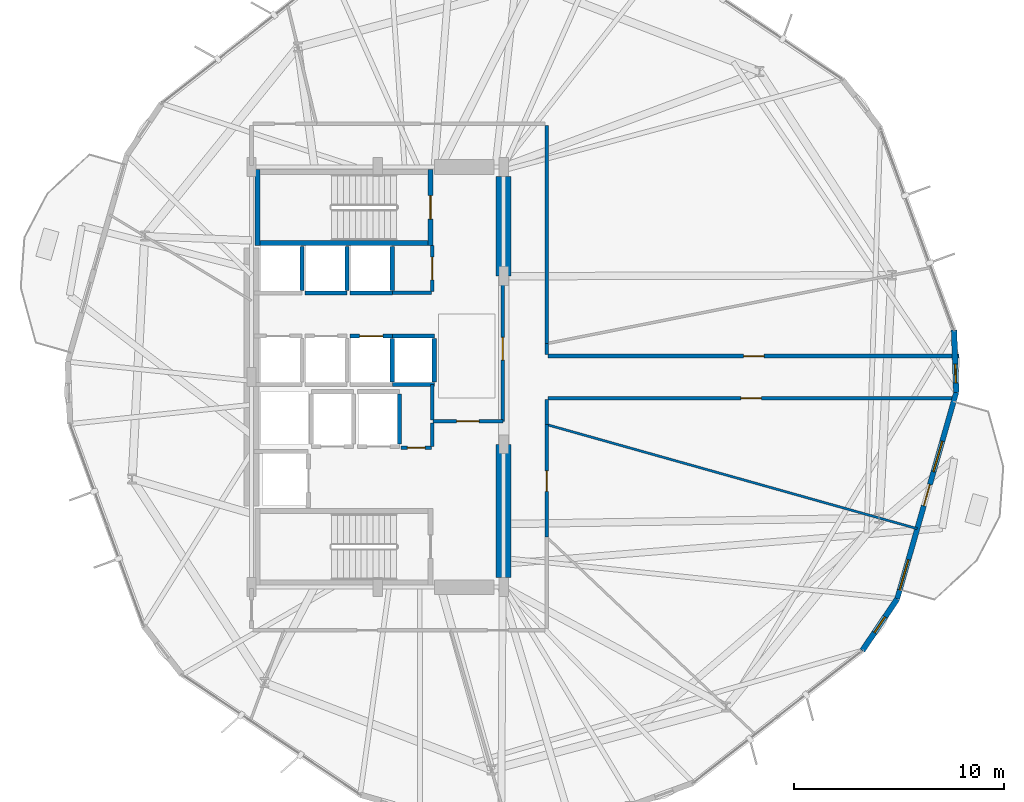
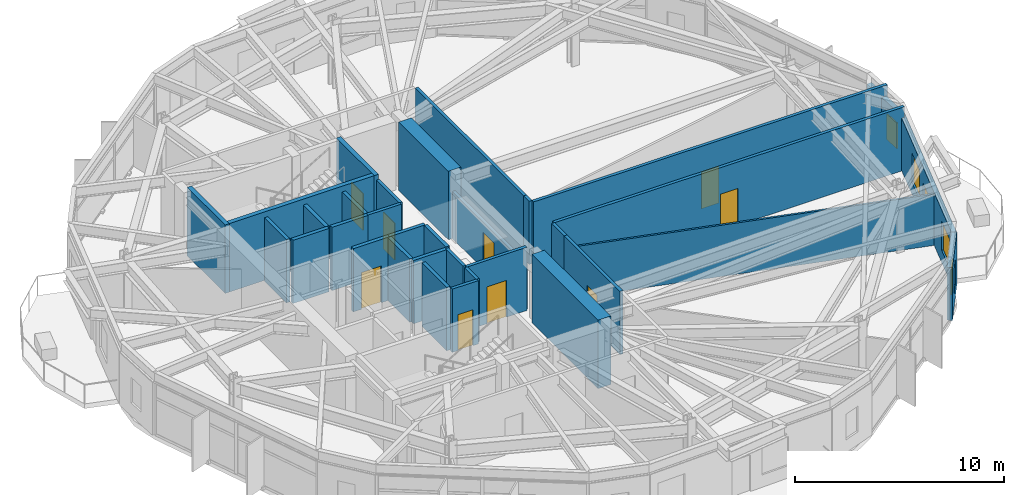
# One storey, part 17 of 21: 33 walls, 10 doors, 4 windows, 14 openings.
"""IFC4 building model written with IfcOpenShell, lengths in metres."""

import ifcopenshell
import ifcopenshell.guid

model = None  # the IFC model being written
_history = None  # IfcOwnerHistory: only IFC2X3 demands one
_inside = {}  # id of a spatial element -> (the spatial element, [elements in it])
_under = {}  # id of a project, library or spatial element -> (it, [spatial elements below it])
_declared = {}  # id of a project -> (the project, [libraries it declares])
_typed = {}  # id of a type object -> (the type object, [elements of that type])
_made_of = {}  # id of a material, layer set ... -> (it, [elements and type objects made of it])


def new_model(schema):
    """Start an empty IFC model of exactly this schema.

    Asked for "IFC4X3", IfcOpenShell would pick the latest addendum, in which some entities
    have other attributes; the version numbers below select the first issue.
    IFC2X3 requires an IfcOwnerHistory on every rooted entity: one is made here for all.
    """
    global model, _history
    if schema == "IFC4X3":
        model = ifcopenshell.file(schema_version=(4, 3, 0, 0))
    else:
        model = ifcopenshell.file(schema=schema)
    _inside.clear()
    _under.clear()
    _declared.clear()
    _typed.clear()
    _made_of.clear()
    _history = None
    if model.schema == "IFC2X3":
        org = make("IfcOrganization", Name="unknown")
        user = make(
            "IfcPersonAndOrganization",
            ThePerson=make("IfcPerson", FamilyName="unknown"),
            TheOrganization=org,
        )
        app = make(
            "IfcApplication",
            ApplicationDeveloper=org,
            Version="unknown",
            ApplicationFullName="unknown",
            ApplicationIdentifier="unknown",
        )
        _history = make(
            "IfcOwnerHistory",
            OwningUser=user,
            OwningApplication=app,
            ChangeAction="ADDED",
            CreationDate=0,
        )
    return model


def make(cls, **values):
    """One entity of the class cls with the attributes given. An attribute that is None is left unset."""
    return model.create_entity(
        cls, **{name: value for name, value in values.items() if value is not None}
    )


def rooted(cls, **values):
    """An entity with a GlobalId (a new one), such as an element, a storey or a relation."""
    return make(cls, GlobalId=ifcopenshell.guid.new(), OwnerHistory=_history, **values)


def si_unit(unit_type, name, prefix=None):
    """IfcSIUnit, for example si_unit("LENGTHUNIT", "METRE", prefix="MILLI")."""
    return make("IfcSIUnit", UnitType=unit_type, Prefix=prefix, Name=name)


def assignment(units):
    """IfcUnitAssignment: the units of a project."""
    return None if units is None else make("IfcUnitAssignment", Units=units)


def point(xyz):
    """IfcCartesianPoint."""
    return None if xyz is None else make("IfcCartesianPoint", Coordinates=xyz)


def direction(xyz):
    """IfcDirection."""
    return None if xyz is None else make("IfcDirection", DirectionRatios=xyz)


def frame(location, z_axis=None, x_axis=None):
    """IfcAxis2Placement3D, a coordinate frame: its origin and axes. An axis left out is left unset."""
    return make(
        "IfcAxis2Placement3D",
        Location=point(location),
        Axis=direction(z_axis),
        RefDirection=direction(x_axis),
    )


def frame_2d(location, x_axis=None):
    """IfcAxis2Placement2D, a coordinate frame in the plane: its origin and x axis."""
    return make(
        "IfcAxis2Placement2D", Location=point(location), RefDirection=direction(x_axis)
    )


def origin():
    """The frame at (0, 0, 0) with its axes left unset."""
    return frame((0.0, 0.0, 0.0))


def place(relative_to, where):
    """IfcLocalPlacement: puts the frame where relative to a parent placement (None: the world)."""
    return make(
        "IfcLocalPlacement", PlacementRelTo=relative_to, RelativePlacement=where
    )


def context(
    kind, dimensions, precision=None, world=None, true_north=None, identifier=None
):
    """IfcGeometricRepresentationContext, for example the 3D "Model" context."""
    return make(
        "IfcGeometricRepresentationContext",
        ContextIdentifier=identifier,
        ContextType=kind,
        CoordinateSpaceDimension=dimensions,
        Precision=precision,
        WorldCoordinateSystem=world,
        TrueNorth=true_north,
    )


def subcontext(parent, identifier, kind, view, scale=None):
    """IfcGeometricRepresentationSubContext, for example "Body" below "Model"."""
    return make(
        "IfcGeometricRepresentationSubContext",
        ContextIdentifier=identifier,
        ContextType=kind,
        ParentContext=parent,
        TargetScale=scale,
        TargetView=view,
    )


def project(units=None, contexts=None):
    """IfcProject with its units and contexts."""
    return rooted(
        "IfcProject",
        Name="project",
        RepresentationContexts=contexts,
        UnitsInContext=assignment(units),
    )


def spatial(cls, under=None, at=None, **own):
    """A site, building, storey or space (cls), placed at a placement, below another one or the project."""
    s = rooted(cls, ObjectPlacement=at, **own)
    if under is not None:
        _under.setdefault(under.id(), (under, []))[1].append(s)
    return s


def profile(cls, at=None, kind="AREA", **sizes):
    """A parametric profile (cls). Its sizes go by their IFC names, for example OverallWidth=200.0."""
    return make(cls, ProfileType=kind, Position=at, **sizes)


def rectangle(**sizes):
    """IfcRectangleProfileDef."""
    return profile("IfcRectangleProfileDef", **sizes)


def extrude(swept, where, along, depth):
    """IfcExtrudedAreaSolid: the profile swept, set in the frame where, extruded along a direction by depth."""
    return make(
        "IfcExtrudedAreaSolid",
        SweptArea=swept,
        Position=where,
        ExtrudedDirection=direction(along),
        Depth=depth,
    )


def shape(context_of_items, identifier, shape_type, items):
    """IfcShapeRepresentation: the items that make up one representation, for example the "Body"."""
    return make(
        "IfcShapeRepresentation",
        ContextOfItems=context_of_items,
        RepresentationIdentifier=identifier,
        RepresentationType=shape_type,
        Items=items,
    )


def material(Name=None, Category=None):
    """IfcMaterial."""
    return make("IfcMaterial", Name=Name, Category=Category)


def layer(
    of_material, thickness, ventilated=None, Name=None, Category=None, Priority=None
):
    """IfcMaterialLayer: one layer of a wall or slab, of a material (None: an air gap)."""
    return make(
        "IfcMaterialLayer",
        Material=of_material,
        LayerThickness=thickness,
        IsVentilated=ventilated,
        Name=Name,
        Category=Category,
        Priority=Priority,
    )


def layer_set(layers, Name=None):
    """IfcMaterialLayerSet."""
    return make("IfcMaterialLayerSet", MaterialLayers=layers, LayerSetName=Name)


def made_of(thing, what):
    """Note that an element or type object is made of a material, layer set ...; save() writes the relation."""
    if what is not None:
        _made_of.setdefault(what.id(), (what, []))[1].append(thing)
    return thing


def type_object(cls, material=None, **own):
    """A type object (cls), such as IfcWallType, which elements share."""
    return made_of(rooted(cls, **own), material)


def element(
    cls,
    number,
    at=None,
    inside=None,
    cuts=None,
    type_object=None,
    material=None,
    context=None,
    identifier="Body",
    shape_type=None,
    held_by="IfcProductDefinitionShape",
    body=None,
    shapes=None,
    **own,
):
    """One element of the class cls, such as IfcWall. Its Tag is "e" and its number.

    at: its placement. inside: the storey or other place that contains it. cuts: it is an
    opening in that element (IfcRelVoidsElement). A single representation is given by context,
    identifier, shape_type and body (its items); several are given by shapes. held_by: the class
    of the entity that holds the representations. save() writes the other relations.
    """
    e = rooted(cls, Tag="e%d" % number, ObjectPlacement=at, **own)
    if body is not None:
        shapes = [shape(context, identifier, shape_type, body)]
    if shapes is not None:
        e.Representation = make(held_by, Representations=shapes)
    if inside is not None:
        _inside.setdefault(inside.id(), (inside, []))[1].append(e)
    if cuts is not None:
        rooted(
            "IfcRelVoidsElement", RelatingBuildingElement=cuts, RelatedOpeningElement=e
        )
    if type_object is not None:
        _typed.setdefault(type_object.id(), (type_object, []))[1].append(e)
    return made_of(e, material)


def fill(opening, filler):
    """IfcRelFillsElement: the door or window that sits in an opening."""
    return rooted(
        "IfcRelFillsElement",
        RelatingOpeningElement=opening,
        RelatedBuildingElement=filler,
    )


def aggregate(whole, parts):
    """IfcRelAggregates: a whole, such as a stair, and the parts it consists of."""
    return rooted("IfcRelAggregates", RelatingObject=whole, RelatedObjects=parts)


def save(model, path):
    """Write the relations noted so far, then the file.

    IfcRelAggregates (storeys below a building ...), IfcRelContainedInSpatialStructure (elements
    in a storey), IfcRelDefinesByType, IfcRelAssociatesMaterial and IfcRelDeclares: one each for
    every whole, place, type object, material and project.
    """
    for whole, parts in _under.values():
        aggregate(whole, parts)
    for where, things in _inside.values():
        rooted(
            "IfcRelContainedInSpatialStructure",
            RelatedElements=things,
            RelatingStructure=where,
        )
    for kind, things in _typed.values():
        rooted("IfcRelDefinesByType", RelatedObjects=things, RelatingType=kind)
    for what, things in _made_of.values():
        rooted("IfcRelAssociatesMaterial", RelatedObjects=things, RelatingMaterial=what)
    for by, libraries in _declared.values():
        rooted("IfcRelDeclares", RelatingContext=by, RelatedDefinitions=libraries)
    model.write(path)


model = new_model("IFC4")

# Units and contexts
model_context = context("Model", 3, precision=1e-05, world=origin(), true_north=direction((0.0, 1.0)))
body_context = subcontext(model_context, "Body", "Model", "MODEL_VIEW")
ifc_project = project(units=[si_unit("LENGTHUNIT", "METRE"), si_unit("AREAUNIT", "SQUARE_METRE"), si_unit("VOLUMEUNIT", "CUBIC_METRE"), si_unit("PLANEANGLEUNIT", "RADIAN"), si_unit("MASSUNIT", "GRAM", prefix="KILO")], contexts=[model_context])

# Site, building, storey
site_placement = place(None, origin())
site = spatial("IfcSite", under=ifc_project, at=site_placement, CompositionType="ELEMENT")
building_placement = place(site_placement, origin())
building = spatial("IfcBuilding", under=site, at=building_placement, Name="Soratama Intermodal Tower", CompositionType="ELEMENT")
storey_placement = place(building_placement, frame((0.0, 0.0, 34.60009765625)))
storey = spatial("IfcBuildingStorey", under=building, at=storey_placement, Name="L07", CompositionType="ELEMENT", Elevation=34.60009765625)

# Wall, openings, door, windows
ifc_material_1 = material(Name="Concrete f'c 42 MPa", Category="concrete")
ifc_layer_1 = layer(ifc_material_1, 0.25)
ifc_layer_set_1 = layer_set([ifc_layer_1], Name="Concrete f'c 42 MPa")
wall_type_1 = type_object("IfcWallType", Name="EW-BAL-250", PredefinedType="SOLIDWALL", material=ifc_layer_set_1)
wall_1_placement = place(storey_placement, frame((63.334716796875, 14.43994140625, 0.0), z_axis=(0.0, 0.0, 1.0), x_axis=(0.274967139431, 0.961453624588, 0.0)))
wall_1 = element("IfcWall", 1, at=wall_1_placement, inside=storey, type_object=wall_type_1, Name="L07 Terrace Wall F10", PredefinedType="SOLIDWALL", context=body_context, shape_type="SweptSolid", body=[
    extrude(rectangle(XDim=10.22314453125, YDim=0.25, at=frame_2d((5.111572265625, 0.0))), origin(), (0.0, 0.0, 1.0), 3.078857421875),
])
opening_1_placement = place(wall_1_placement, frame((4.611572265625, 0.0, 0.0)))
opening_1 = element("IfcOpeningElement", 2, at=opening_1_placement, cuts=wall_1, Name="Opening ED-5", PredefinedType="OPENING", context=body_context, shape_type="SweptSolid", body=[
    extrude(rectangle(XDim=1.050048828125, YDim=2.14990234375, at=frame_2d((0.52490234375, 1.074951171875))), frame((0.0, 0.135009765625, 0.0), z_axis=(0.0, -1.0, 0.0), x_axis=(1.0, 0.0, 0.0)), (0.0, 0.0, 1.0), 0.27001953125),
])
opening_2_placement = place(wall_1_placement, frame((0.43994140625, 0.0, 0.719970703125)))
opening_2 = element("IfcOpeningElement", 3, at=opening_2_placement, cuts=wall_1, Name="Opening WN-1", PredefinedType="OPENING", context=body_context, shape_type="SweptSolid", body=[
    extrude(rectangle(XDim=1.5, YDim=1.699951171875, at=frame_2d((0.75, 0.85009765625))), frame((0.0, 0.135009765625, 0.0), z_axis=(0.0, -1.0, 0.0), x_axis=(1.0, 0.0, 0.0)), (0.0, 0.0, 1.0), 0.27001953125),
])
opening_3_placement = place(wall_1_placement, frame((6.301513671875, 0.0, 0.719970703125)))
opening_3 = element("IfcOpeningElement", 4, at=opening_3_placement, cuts=wall_1, Name="Opening WN-1", PredefinedType="OPENING", context=body_context, shape_type="SweptSolid", body=[
    extrude(rectangle(XDim=1.5, YDim=1.699951171875, at=frame_2d((0.75, 0.85009765625))), frame((0.0, 0.135009765625, 0.0), z_axis=(0.0, -1.0, 0.0), x_axis=(1.0, 0.0, 0.0)), (0.0, 0.0, 1.0), 0.27001953125),
])
ifc_material_2 = material(Name="Double-glazed aluminium door", Category="aluminium")
door_type_1 = type_object("IfcDoorType", Name="DR-BAL-1050", OperationType="NOTDEFINED", PredefinedType="DOOR", material=ifc_material_2)
door_1_placement = place(opening_1_placement, origin())
door_1 = element("IfcDoor", 5, at=door_1_placement, inside=storey, type_object=door_type_1, Name="L07 Balcony Door F10", OperationType="SINGLE_SWING_RIGHT", OverallHeight=2.14990234375, OverallWidth=1.050048828125, PredefinedType="DOOR", context=body_context, shape_type="SweptSolid", body=[
    extrude(rectangle(XDim=1.050048828125, YDim=2.14990234375, at=frame_2d((0.52490234375, 1.074951171875))), frame((0.0, 0.02490234375, 0.0), z_axis=(0.0, -1.0, 0.0), x_axis=(1.0, 0.0, 0.0)), (0.0, 0.0, 1.0), 0.050048828125),
])
fill(opening_1, door_1)
ifc_material_3 = material(Name="Double-glazed aluminium window", Category="aluminium")
window_type_1 = type_object("IfcWindowType", Name="WN-FAC-1500", PartitioningType="SINGLE_PANEL", PredefinedType="WINDOW", material=ifc_material_3)
window_1_placement = place(opening_2_placement, origin())
window_1 = element("IfcWindow", 6, at=window_1_placement, inside=storey, type_object=window_type_1, Name="L07 Window A F10", OverallHeight=1.699951171875, OverallWidth=1.5, PartitioningType="SINGLE_PANEL", PredefinedType="WINDOW", context=body_context, shape_type="SweptSolid", body=[
    extrude(rectangle(XDim=1.5, YDim=1.699951171875, at=frame_2d((0.75, 0.85009765625))), frame((0.0, 0.030029296875, 0.0), z_axis=(0.0, -1.0, 0.0), x_axis=(1.0, 0.0, 0.0)), (0.0, 0.0, 1.0), 0.06005859375),
])
fill(opening_2, window_1)
window_2_placement = place(opening_3_placement, origin())
window_2 = element("IfcWindow", 7, at=window_2_placement, inside=storey, type_object=window_type_1, Name="L07 Window B F10", OverallHeight=1.699951171875, OverallWidth=1.5, PartitioningType="SINGLE_PANEL", PredefinedType="WINDOW", context=body_context, shape_type="SweptSolid", body=[
    extrude(rectangle(XDim=1.5, YDim=1.699951171875, at=frame_2d((0.75, 0.85009765625))), frame((0.0, 0.030029296875, 0.0), z_axis=(0.0, -1.0, 0.0), x_axis=(1.0, 0.0, 0.0)), (0.0, 0.0, 1.0), 0.06005859375),
])
fill(opening_3, window_2)

# Wall, opening, window
ifc_material_4 = material(Name="Concrete f'c 42 MPa", Category="concrete")
ifc_layer_2 = layer(ifc_material_4, 0.27001953125)
ifc_layer_set_2 = layer_set([ifc_layer_2], Name="Concrete f'c 42 MPa")
wall_type_2 = type_object("IfcWallType", Name="EW-CRN-270", PredefinedType="SOLIDWALL", material=ifc_layer_set_2)
wall_2_placement = place(storey_placement, frame((61.677490234375, 11.9794921875, 0.0), z_axis=(0.0, 0.0, 1.0), x_axis=(0.558644287113, 0.829407354969, 0.0)))
wall_2 = element("IfcWall", 8, at=wall_2_placement, inside=storey, type_object=wall_type_2, Name="L07 Corner Closure Wall 09", PredefinedType="SOLIDWALL", context=body_context, shape_type="SweptSolid", body=[
    extrude(rectangle(XDim=2.966552734375, YDim=0.27001953125, at=frame_2d((1.4833984375, 0.0))), origin(), (0.0, 0.0, 1.0), 3.078857421875),
])
opening_4_placement = place(wall_2_placement, frame((1.033203125, 0.0, 0.75)))
opening_4 = element("IfcOpeningElement", 9, at=opening_4_placement, cuts=wall_2, Name="Opening WN-6", PredefinedType="OPENING", context=body_context, shape_type="SweptSolid", body=[
    extrude(rectangle(XDim=0.89990234375, YDim=1.5, at=frame_2d((0.449951171875, 0.75))), frame((0.0, 0.14501953125, 0.0), z_axis=(0.0, -1.0, 0.0), x_axis=(1.0, 0.0, 0.0)), (0.0, 0.0, 1.0), 0.2900390625),
])
ifc_material_5 = material(Name="Double-glazed aluminium window", Category="aluminium")
window_type_2 = type_object("IfcWindowType", Name="WN-FAC-900", PartitioningType="SINGLE_PANEL", PredefinedType="WINDOW", material=ifc_material_5)
window_3_placement = place(opening_4_placement, origin())
window_3 = element("IfcWindow", 10, at=window_3_placement, inside=storey, type_object=window_type_2, Name="L07 Corner Window 09", OverallHeight=1.5, OverallWidth=0.89990234375, PartitioningType="SINGLE_PANEL", PredefinedType="WINDOW", context=body_context, shape_type="SweptSolid", body=[
    extrude(rectangle(XDim=0.89990234375, YDim=1.5, at=frame_2d((0.449951171875, 0.75))), frame((0.0, 0.030029296875, 0.0), z_axis=(0.0, -1.0, 0.0), x_axis=(1.0, 0.0, 0.0)), (0.0, 0.0, 1.0), 0.06005859375),
])
fill(opening_4, window_3)

wall_3_placement = place(storey_placement, frame((66.145751953125, 24.26904296875, 0.0), z_axis=(0.0, 0.0, 1.0), x_axis=(-0.035635755397, 0.999364844758, 0.0)))
wall_3 = element("IfcWall", 11, at=wall_3_placement, inside=storey, type_object=wall_type_2, Name="L07 Corner Closure Wall 10", PredefinedType="SOLIDWALL", context=body_context, shape_type="SweptSolid", body=[
    extrude(rectangle(XDim=2.966552734375, YDim=0.27001953125, at=frame_2d((1.4833984375, 0.0))), origin(), (0.0, 0.0, 1.0), 3.078857421875),
])
opening_5_placement = place(wall_3_placement, frame((0.449951171875, 0.0, 0.75)))
opening_5 = element("IfcOpeningElement", 12, at=opening_5_placement, cuts=wall_3, Name="Opening WN-6", PredefinedType="OPENING", context=body_context, shape_type="SweptSolid", body=[
    extrude(rectangle(XDim=0.89990234375, YDim=1.5, at=frame_2d((0.449951171875, 0.75))), frame((0.0, 0.14501953125, 0.0), z_axis=(0.0, -1.0, 0.0), x_axis=(1.0, 0.0, 0.0)), (0.0, 0.0, 1.0), 0.2900390625),
])
window_4_placement = place(opening_5_placement, origin())
window_4 = element("IfcWindow", 13, at=window_4_placement, inside=storey, type_object=window_type_2, Name="L07 Corner Window 10", OverallHeight=1.5, OverallWidth=0.89990234375, PartitioningType="SINGLE_PANEL", PredefinedType="WINDOW", context=body_context, shape_type="SweptSolid", body=[
    extrude(rectangle(XDim=0.89990234375, YDim=1.5, at=frame_2d((0.449951171875, 0.75))), frame((0.0, 0.030029296875, 0.0), z_axis=(0.0, -1.0, 0.0), x_axis=(1.0, 0.0, 0.0)), (0.0, 0.0, 1.0), 0.06005859375),
])
fill(opening_5, window_4)

# Wall, opening, door
ifc_material_6 = material(Name="Fire-rated gypsum stud partition", Category="concrete")
ifc_layer_3 = layer(ifc_material_6, 0.169921875)
ifc_layer_set_3 = layer_set([ifc_layer_3], Name="Fire-rated gypsum stud partition")
wall_type_3 = type_object("IfcWallType", Name="IW-PART-R170", PredefinedType="PARTITIONING", material=ifc_layer_set_3)
wall_4_placement = place(storey_placement, frame((46.719970703125, 26.0, 0.0), z_axis=(0.0, 0.0, 1.0), x_axis=(1.0, 0.0, 0.0)))
wall_4 = element("IfcWall", 14, at=wall_4_placement, inside=storey, type_object=wall_type_3, Name="L07 Partition W-L07-TP001", PredefinedType="PARTITIONING", context=body_context, shape_type="SweptSolid", body=[
    extrude(rectangle(XDim=19.56103515625, YDim=0.169921875, at=frame_2d((9.780517578125, 0.0))), origin(), (0.0, 0.0, 1.0), 3.699951171875),
])
opening_6_placement = place(wall_4_placement, frame((9.305908203125, 0.0, 0.0)))
opening_6 = element("IfcOpeningElement", 15, at=opening_6_placement, cuts=wall_4, Name="Opening ID-5", PredefinedType="OPENING", context=body_context, shape_type="SweptSolid", body=[
    extrude(rectangle(XDim=0.97998046875, YDim=2.14990234375, at=frame_2d((0.489990234375, 1.074951171875))), frame((0.0, 0.094970703125, 0.0), z_axis=(0.0, -1.0, 0.0), x_axis=(1.0, 0.0, 0.0)), (0.0, 0.0, 1.0), 0.18994140625),
])
ifc_material_7 = material(Name="Solid hardwood acoustic door", Category="wood")
door_type_2 = type_object("IfcDoorType", Name="DR-OFF-980", OperationType="NOTDEFINED", PredefinedType="DOOR", material=ifc_material_7)
door_2_placement = place(opening_6_placement, origin())
door_2 = element("IfcDoor", 16, at=door_2_placement, inside=storey, type_object=door_type_2, Name="L07 Door D-L07-TP001", OperationType="SINGLE_SWING_RIGHT", OverallHeight=2.14990234375, OverallWidth=0.97998046875, PredefinedType="DOOR", context=body_context, shape_type="SweptSolid", body=[
    extrude(rectangle(XDim=0.97998046875, YDim=2.14990234375, at=frame_2d((0.489990234375, 1.074951171875))), frame((0.0, 0.02490234375, 0.0), z_axis=(0.0, -1.0, 0.0), x_axis=(1.0, 0.0, 0.0)), (0.0, 0.0, 1.0), 0.050048828125),
])
fill(opening_6, door_2)

wall_5_placement = place(storey_placement, frame((66.069091796875, 24.0, 0.0), z_axis=(0.0, 0.0, 1.0), x_axis=(-1.0, 0.0, 0.0)))
wall_5 = element("IfcWall", 17, at=wall_5_placement, inside=storey, type_object=wall_type_3, Name="L07 Partition W-L07-TP002", PredefinedType="PARTITIONING", context=body_context, shape_type="SweptSolid", body=[
    extrude(rectangle(XDim=19.34912109375, YDim=0.169921875, at=frame_2d((9.674560546875, 0.0))), origin(), (0.0, 0.0, 1.0), 3.699951171875),
])
opening_7_placement = place(wall_5_placement, frame((9.199951171875, 0.0, 0.0)))
opening_7 = element("IfcOpeningElement", 18, at=opening_7_placement, cuts=wall_5, Name="Opening ID-5", PredefinedType="OPENING", context=body_context, shape_type="SweptSolid", body=[
    extrude(rectangle(XDim=0.97998046875, YDim=2.14990234375, at=frame_2d((0.489990234375, 1.074951171875))), frame((0.0, 0.094970703125, 0.0), z_axis=(0.0, -1.0, 0.0), x_axis=(1.0, 0.0, 0.0)), (0.0, 0.0, 1.0), 0.18994140625),
])
door_3_placement = place(opening_7_placement, origin())
door_3 = element("IfcDoor", 19, at=door_3_placement, inside=storey, type_object=door_type_2, Name="L07 Door D-L07-TP002", OperationType="SINGLE_SWING_LEFT", OverallHeight=2.14990234375, OverallWidth=0.97998046875, PredefinedType="DOOR", context=body_context, shape_type="SweptSolid", body=[
    extrude(rectangle(XDim=0.97998046875, YDim=2.14990234375, at=frame_2d((0.489990234375, 1.074951171875))), frame((0.0, 0.02490234375, 0.0), z_axis=(0.0, -1.0, 0.0), x_axis=(1.0, 0.0, 0.0)), (0.0, 0.0, 1.0), 0.050048828125),
])
fill(opening_7, door_3)

# Wall
wall_6_placement = place(storey_placement, frame((46.64990234375, 36.97998046875, 0.0), z_axis=(0.0, 0.0, 1.0), x_axis=(0.0, -1.0, 0.0)))
element("IfcWall", 20, at=wall_6_placement, inside=storey, type_object=wall_type_3, Name="L07 Partition W-L07-TP007", PredefinedType="PARTITIONING", context=body_context, shape_type="SweptSolid", body=[
    extrude(rectangle(XDim=10.386962890625, YDim=0.169921875, at=frame_2d((5.193359375, 0.0))), origin(), (0.0, 0.0, 1.0), 3.699951171875),
])

# Wall, opening, door
wall_7_placement = place(storey_placement, frame((44.56005859375, 29.800048828125, 0.0), z_axis=(0.0, 0.0, 1.0), x_axis=(0.0, -1.0, 0.0)))
wall_7 = element("IfcWall", 21, at=wall_7_placement, inside=storey, type_object=wall_type_3, Name="L07 Partition W-L07-TP011", PredefinedType="PARTITIONING", context=body_context, shape_type="SweptSolid", body=[
    extrude(rectangle(XDim=6.91015625, YDim=0.169921875, at=frame_2d((3.455078125, 0.0))), origin(), (0.0, 0.0, 1.0), 2.739990234375),
])
opening_8_placement = place(wall_7_placement, frame((2.9150390625, 0.0, 0.0)))
opening_8 = element("IfcOpeningElement", 22, at=opening_8_placement, cuts=wall_7, Name="Opening ID-1", PredefinedType="OPENING", context=body_context, shape_type="SweptSolid", body=[
    extrude(rectangle(XDim=1.080078125, YDim=2.14990234375, at=frame_2d((0.5400390625, 1.074951171875))), frame((0.0, 0.094970703125, 0.0), z_axis=(0.0, -1.0, 0.0), x_axis=(1.0, 0.0, 0.0)), (0.0, 0.0, 1.0), 0.18994140625),
])
ifc_material_8 = material(Name="Solid hardwood acoustic door", Category="wood")
door_type_3 = type_object("IfcDoorType", Name="DR-LOB-FD60", OperationType="NOTDEFINED", PredefinedType="DOOR", material=ifc_material_8)
door_4_placement = place(opening_8_placement, origin())
door_4 = element("IfcDoor", 23, at=door_4_placement, inside=storey, type_object=door_type_3, Name="L07 Door D-L07-TP005", OperationType="SINGLE_SWING_RIGHT", OverallHeight=2.14990234375, OverallWidth=1.080078125, PredefinedType="DOOR", context=body_context, shape_type="SweptSolid", body=[
    extrude(rectangle(XDim=1.080078125, YDim=2.14990234375, at=frame_2d((0.5400390625, 1.074951171875))), frame((0.0, 0.02490234375, 0.0), z_axis=(0.0, -1.0, 0.0), x_axis=(1.0, 0.0, 0.0)), (0.0, 0.0, 1.0), 0.050048828125),
])
fill(opening_8, door_4)

wall_8_placement = place(storey_placement, frame((46.64990234375, 22.738037109375, 0.0), z_axis=(0.0, 0.0, 1.0), x_axis=(0.0, -1.0, 0.0)))
wall_8 = element("IfcWall", 24, at=wall_8_placement, inside=storey, type_object=wall_type_3, Name="L07 Partition W-L07-TP013", PredefinedType="PARTITIONING", context=body_context, shape_type="SweptSolid", body=[
    extrude(rectangle(XDim=5.35302734375, YDim=0.169921875, at=frame_2d((2.676513671875, 0.0))), origin(), (0.0, 0.0, 1.0), 3.699951171875),
])
opening_9_placement = place(wall_8_placement, frame((2.200927734375, 0.0, 0.0)))
opening_9 = element("IfcOpeningElement", 25, at=opening_9_placement, cuts=wall_8, Name="Opening ID-5", PredefinedType="OPENING", context=body_context, shape_type="SweptSolid", body=[
    extrude(rectangle(XDim=0.97998046875, YDim=2.14990234375, at=frame_2d((0.489990234375, 1.074951171875))), frame((0.0, 0.094970703125, 0.0), z_axis=(0.0, -1.0, 0.0), x_axis=(1.0, 0.0, 0.0)), (0.0, 0.0, 1.0), 0.18994140625),
])
door_5_placement = place(opening_9_placement, origin())
door_5 = element("IfcDoor", 26, at=door_5_placement, inside=storey, type_object=door_type_2, Name="L07 Door D-L07-TP006", OperationType="SINGLE_SWING_LEFT", OverallHeight=2.14990234375, OverallWidth=0.97998046875, PredefinedType="DOOR", context=body_context, shape_type="SweptSolid", body=[
    extrude(rectangle(XDim=0.97998046875, YDim=2.14990234375, at=frame_2d((0.489990234375, 1.074951171875))), frame((0.0, 0.02490234375, 0.0), z_axis=(0.0, -1.0, 0.0), x_axis=(1.0, 0.0, 0.0)), (0.0, 0.0, 1.0), 0.050048828125),
])
fill(opening_9, door_5)

wall_9_placement = place(storey_placement, frame((41.239990234375, 22.889892578125, 0.0), z_axis=(0.0, 0.0, 1.0), x_axis=(1.0, 0.0, 0.0)))
wall_9 = element("IfcWall", 27, at=wall_9_placement, inside=storey, type_object=wall_type_3, Name="L07 Partition W-L07-TP017", PredefinedType="PARTITIONING", context=body_context, shape_type="SweptSolid", body=[
    extrude(rectangle(XDim=3.320068359375, YDim=0.169921875, at=frame_2d((1.66015625, 0.0))), origin(), (0.0, 0.0, 1.0), 3.699951171875),
])
opening_10_placement = place(wall_9_placement, frame((1.1201171875, 0.0, 0.0)))
opening_10 = element("IfcOpeningElement", 28, at=opening_10_placement, cuts=wall_9, Name="Opening ID-0", PredefinedType="OPENING", context=body_context, shape_type="SweptSolid", body=[
    extrude(rectangle(XDim=1.080078125, YDim=2.14990234375, at=frame_2d((0.5400390625, 1.074951171875))), frame((0.0, 0.094970703125, 0.0), z_axis=(0.0, -1.0, 0.0), x_axis=(1.0, 0.0, 0.0)), (0.0, 0.0, 1.0), 0.18994140625),
])
ifc_material_9 = material(Name="Solid hardwood acoustic door", Category="wood")
door_type_4 = type_object("IfcDoorType", Name="DR-LOB-FD90", OperationType="NOTDEFINED", PredefinedType="DOOR", material=ifc_material_9)
door_6_placement = place(opening_10_placement, origin())
door_6 = element("IfcDoor", 29, at=door_6_placement, inside=storey, type_object=door_type_4, Name="L07 Door D-L07-TP008", OperationType="SINGLE_SWING_LEFT", OverallHeight=2.14990234375, OverallWidth=1.080078125, PredefinedType="DOOR", context=body_context, shape_type="SweptSolid", body=[
    extrude(rectangle(XDim=1.080078125, YDim=2.14990234375, at=frame_2d((0.5400390625, 1.074951171875))), frame((0.0, 0.02490234375, 0.0), z_axis=(0.0, -1.0, 0.0), x_axis=(1.0, 0.0, 0.0)), (0.0, 0.0, 1.0), 0.050048828125),
])
fill(opening_10, door_6)

wall_10_placement = place(storey_placement, frame((41.199951171875, 29.070068359375, 0.0), z_axis=(0.0, 0.0, 1.0), x_axis=(0.0, 1.0, 0.0)))
wall_10 = element("IfcWall", 30, at=wall_10_placement, inside=storey, type_object=wall_type_3, Name="L07 Partition W-L07-TP019", PredefinedType="PARTITIONING", context=body_context, shape_type="SweptSolid", body=[
    extrude(rectangle(XDim=2.18994140625, YDim=0.169921875, at=frame_2d((1.094970703125, 0.0))), origin(), (0.0, 0.0, 1.0), 3.699951171875),
])
opening_11_placement = place(wall_10_placement, frame((0.554931640625, 0.0, 0.0)))
opening_11 = element("IfcOpeningElement", 31, at=opening_11_placement, cuts=wall_10, Name="Opening ID-1", PredefinedType="OPENING", context=body_context, shape_type="SweptSolid", body=[
    extrude(rectangle(XDim=1.080078125, YDim=2.14990234375, at=frame_2d((0.5400390625, 1.074951171875))), frame((0.0, 0.094970703125, 0.0), z_axis=(0.0, -1.0, 0.0), x_axis=(1.0, 0.0, 0.0)), (0.0, 0.0, 1.0), 0.18994140625),
])
door_7_placement = place(opening_11_placement, origin())
door_7 = element("IfcDoor", 32, at=door_7_placement, inside=storey, type_object=door_type_3, Name="L07 Door D-L07-TP010", OperationType="SINGLE_SWING_LEFT", OverallHeight=2.14990234375, OverallWidth=1.080078125, PredefinedType="DOOR", context=body_context, shape_type="SweptSolid", body=[
    extrude(rectangle(XDim=1.080078125, YDim=2.14990234375, at=frame_2d((0.5400390625, 1.074951171875))), frame((0.0, 0.02490234375, 0.0), z_axis=(0.0, -1.0, 0.0), x_axis=(1.0, 0.0, 0.0)), (0.0, 0.0, 1.0), 0.050048828125),
])
fill(opening_11, door_7)

# Walls
wall_11_placement = place(storey_placement, frame((39.300048828125, 29.010009765625, 0.0), z_axis=(0.0, 0.0, 1.0), x_axis=(1.0, 0.0, 0.0)))
element("IfcWall", 33, at=wall_11_placement, inside=storey, type_object=wall_type_3, Name="L07 Partition W-L07-TP022", PredefinedType="PARTITIONING", context=body_context, shape_type="SweptSolid", body=[
    extrude(rectangle(XDim=1.85986328125, YDim=0.169921875, at=frame_2d((0.929931640625, 0.0))), origin(), (0.0, 0.0, 1.0), 3.699951171875),
])
wall_12_placement = place(storey_placement, frame((41.199951171875, 22.9599609375, 0.0), z_axis=(0.0, 0.0, 1.0), x_axis=(0.0, 1.0, 0.0)))
element("IfcWall", 34, at=wall_12_placement, inside=storey, type_object=wall_type_3, Name="L07 Partition W-L07-TP023", PredefinedType="PARTITIONING", context=body_context, shape_type="SweptSolid", body=[
    extrude(rectangle(XDim=1.68994140625, YDim=0.169921875, at=frame_2d((0.844970703125, 0.0))), origin(), (0.0, 0.0, 1.0), 3.699951171875),
])

# Wall, opening, door
wall_13_placement = place(storey_placement, frame((39.719970703125, 21.639892578125, 0.0), z_axis=(0.0, 0.0, 1.0), x_axis=(1.0, 0.0, 0.0)))
wall_13 = element("IfcWall", 35, at=wall_13_placement, inside=storey, type_object=wall_type_3, Name="L07 Partition W-L07-TP025", PredefinedType="PARTITIONING", context=body_context, shape_type="SweptSolid", body=[
    extrude(rectangle(XDim=1.43994140625, YDim=0.169921875, at=frame_2d((0.719970703125, 0.0))), origin(), (0.0, 0.0, 1.0), 3.699951171875),
])
opening_12_placement = place(wall_13_placement, frame((0.294921875, 0.0, 0.0)))
opening_12 = element("IfcOpeningElement", 36, at=opening_12_placement, cuts=wall_13, Name="Opening ID-4", PredefinedType="OPENING", context=body_context, shape_type="SweptSolid", body=[
    extrude(rectangle(XDim=0.85009765625, YDim=2.10009765625, at=frame_2d((0.425048828125, 1.050048828125))), frame((0.0, 0.094970703125, 0.0), z_axis=(0.0, -1.0, 0.0), x_axis=(1.0, 0.0, 0.0)), (0.0, 0.0, 1.0), 0.18994140625),
])
ifc_material_10 = material(Name="Solid hardwood acoustic door", Category="wood")
door_type_5 = type_object("IfcDoorType", Name="DR-BATH-850", OperationType="NOTDEFINED", PredefinedType="DOOR", material=ifc_material_10)
door_8_placement = place(opening_12_placement, origin())
door_8 = element("IfcDoor", 37, at=door_8_placement, inside=storey, type_object=door_type_5, Name="L07 Door D-L07-TP012", OperationType="SINGLE_SWING_LEFT", OverallHeight=2.10009765625, OverallWidth=0.85009765625, PredefinedType="DOOR", context=body_context, shape_type="SweptSolid", body=[
    extrude(rectangle(XDim=0.85009765625, YDim=2.10009765625, at=frame_2d((0.425048828125, 1.050048828125))), frame((0.0, 0.02490234375, 0.0), z_axis=(0.0, -1.0, 0.0), x_axis=(1.0, 0.0, 0.0)), (0.0, 0.0, 1.0), 0.050048828125),
])
fill(opening_12, door_8)

# Walls
wall_14_placement = place(storey_placement, frame((46.64990234375, 23.929931640625, 0.0), z_axis=(0.0, 0.0, 1.0), x_axis=(0.0, -1.0, 0.0)))
element("IfcWall", 38, at=wall_14_placement, inside=storey, type_object=wall_type_3, Name="L07 Partition W-L07-TP026", PredefinedType="PARTITIONING", context=body_context, shape_type="SweptSolid", body=[
    extrude(rectangle(XDim=1.19189453125, YDim=0.169921875, at=frame_2d((0.595947265625, 0.0))), origin(), (0.0, 0.0, 1.0), 3.699951171875),
])
wall_15_placement = place(storey_placement, frame((41.199951171875, 21.699951171875, 0.0), z_axis=(0.0, 0.0, 1.0), x_axis=(0.0, 1.0, 0.0)))
element("IfcWall", 39, at=wall_15_placement, inside=storey, type_object=wall_type_3, Name="L07 Partition W-L07-TP027", PredefinedType="PARTITIONING", context=body_context, shape_type="SweptSolid", body=[
    extrude(rectangle(XDim=1.1201171875, YDim=0.169921875, at=frame_2d((0.56005859375, 0.0))), origin(), (0.0, 0.0, 1.0), 3.699951171875),
])
wall_16_placement = place(storey_placement, frame((46.64990234375, 26.593017578125, 0.0), z_axis=(0.0, 0.0, 1.0), x_axis=(0.0, -1.0, 0.0)))
element("IfcWall", 40, at=wall_16_placement, inside=storey, type_object=wall_type_3, Name="L07 Partition W-L07-TP028", PredefinedType="PARTITIONING", context=body_context, shape_type="SweptSolid", body=[
    extrude(rectangle(XDim=0.52294921875, YDim=0.169921875, at=frame_2d((0.261474609375, 0.0))), origin(), (0.0, 0.0, 1.0), 3.699951171875),
])
ifc_material_11 = material(Name="Fire-rated gypsum stud partition", Category="concrete")
ifc_layer_4 = layer(ifc_material_11, 0.110107421875)
ifc_layer_set_4 = layer_set([ifc_layer_4], Name="Fire-rated gypsum stud partition")
wall_type_4 = type_object("IfcWallType", Name="IW-PART-S110", PredefinedType="PARTITIONING", material=ifc_layer_set_4)
wall_17_placement = place(storey_placement, frame((46.64990234375, 22.738037109375, 0.0), z_axis=(0.0, 0.0, 1.0), x_axis=(0.962725350361, -0.270480867666, 0.0)))
element("IfcWall", 41, at=wall_17_placement, inside=storey, type_object=wall_type_4, Name="L07 Partition W-L07-TP004", PredefinedType="PARTITIONING", context=body_context, shape_type="SweptSolid", body=[
    extrude(rectangle(XDim=18.3232421875, YDim=0.110107421875, at=frame_2d((9.16162109375, 0.0))), origin(), (0.0, 0.0, 1.0), 2.994873046875),
])
ifc_material_12 = material(Name="Concrete f'c 42 MPa", Category="concrete")
ifc_layer_5 = layer(ifc_material_12, 0.199951171875)
ifc_layer_set_5 = layer_set([ifc_layer_5], Name="Concrete f'c 42 MPa")
wall_type_5 = type_object("IfcWallType", Name="IW-SHAFT-200", PredefinedType="SOLIDWALL", material=ifc_layer_set_5)
wall_18_placement = place(storey_placement, frame((39.64990234375, 21.81005859375, 0.0), z_axis=(0.0, 0.0, 1.0), x_axis=(0.0, 1.0, 0.0)))
element("IfcWall", 42, at=wall_18_placement, inside=storey, type_object=wall_type_5, Name="L07 FFL-2 Hoistway Wall E", PredefinedType="SOLIDWALL", context=body_context, shape_type="SweptSolid", body=[
    extrude(rectangle(XDim=2.3798828125, YDim=0.199951171875, at=frame_2d((1.18994140625, 0.0))), origin(), (0.0, 0.0, 1.0), 3.699951171875),
])

# Wall, opening, door
wall_19_placement = place(storey_placement, frame((37.300048828125, 26.949951171875, 0.0), z_axis=(0.0, 0.0, 1.0), x_axis=(1.0, 0.0, 0.0)))
wall_19 = element("IfcWall", 43, at=wall_19_placement, inside=storey, type_object=wall_type_5, Name="L07 PL-L3 Hoistway Wall N", PredefinedType="SOLIDWALL", context=body_context, shape_type="SweptSolid", body=[
    extrude(rectangle(XDim=2.0, YDim=0.199951171875, at=frame_2d((1.0, 0.0))), origin(), (0.0, 0.0, 1.0), 3.699951171875),
])
opening_13_placement = place(wall_19_placement, frame((0.449951171875, 0.0, 0.0)))
opening_13 = element("IfcOpeningElement", 44, at=opening_13_placement, cuts=wall_19, Name="Opening LD-1", PredefinedType="OPENING", context=body_context, shape_type="SweptSolid", body=[
    extrude(rectangle(XDim=1.10009765625, YDim=2.14990234375, at=frame_2d((0.550048828125, 1.074951171875))), frame((0.0, 0.10986328125, 0.0), z_axis=(0.0, -1.0, 0.0), x_axis=(1.0, 0.0, 0.0)), (0.0, 0.0, 1.0), 0.219970703125),
])
ifc_material_13 = material(Name="Steel fire door", Category="steel")
door_type_6 = type_object("IfcDoorType", Name="DR-LIFT-SLIDE", OperationType="NOTDEFINED", PredefinedType="DOOR", material=ifc_material_13)
door_9_placement = place(opening_13_placement, origin())
door_9 = element("IfcDoor", 45, at=door_9_placement, inside=storey, type_object=door_type_6, Name="L07 PL-L3 Sliding Landing Door", OperationType="SLIDING_TO_LEFT", OverallHeight=2.14990234375, OverallWidth=1.10009765625, PredefinedType="DOOR", context=body_context, shape_type="SweptSolid", body=[
    extrude(rectangle(XDim=1.10009765625, YDim=2.14990234375, at=frame_2d((0.550048828125, 1.074951171875))), frame((0.0, 0.02490234375, 0.0), z_axis=(0.0, -1.0, 0.0), x_axis=(1.0, 0.0, 0.0)), (0.0, 0.0, 1.0), 0.050048828125),
])
fill(opening_13, door_9)

# Walls
wall_20_placement = place(storey_placement, frame((39.300048828125, 24.760009765625, 0.0), z_axis=(0.0, 0.0, 1.0), x_axis=(0.0, 1.0, 0.0)))
element("IfcWall", 46, at=wall_20_placement, inside=storey, type_object=wall_type_5, Name="L07 PL-L3 Hoistway Wall E", PredefinedType="SOLIDWALL", context=body_context, shape_type="SweptSolid", body=[
    extrude(rectangle(XDim=2.080078125, YDim=0.199951171875, at=frame_2d((1.0400390625, 0.0))), origin(), (0.0, 0.0, 1.0), 3.699951171875),
])
for number, where, z_axis, x_axis, name in (
    (47, (39.300048828125, 24.64990234375, 0.0), (0.0, 0.0, 1.0), (1.0, 0.0, 0.0), "L07 PL-M1 Hoistway Wall S"),
    (48, (39.300048828125, 26.949951171875, 0.0), (0.0, 0.0, 1.0), (1.0, 0.0, 0.0), "L07 PL-M1 Hoistway Wall N"),
):
    element("IfcWall", number, at=place(storey_placement, frame(where, z_axis=z_axis, x_axis=x_axis)), inside=storey, type_object=wall_type_5, Name=name, PredefinedType="SOLIDWALL", context=body_context, shape_type="SweptSolid", body=[
        extrude(rectangle(XDim=2.0, YDim=0.199951171875, at=frame_2d((1.0, 0.0))), origin(), (0.0, 0.0, 1.0), 3.699951171875),
    ])
wall_21_placement = place(storey_placement, frame((41.300048828125, 24.760009765625, 0.0), z_axis=(0.0, 0.0, 1.0), x_axis=(0.0, 1.0, 0.0)))
element("IfcWall", 49, at=wall_21_placement, inside=storey, type_object=wall_type_5, Name="L07 PL-M1 Hoistway Wall E", PredefinedType="SOLIDWALL", context=body_context, shape_type="SweptSolid", body=[
    extrude(rectangle(XDim=2.080078125, YDim=0.199951171875, at=frame_2d((1.0400390625, 0.0))), origin(), (0.0, 0.0, 1.0), 3.699951171875),
])
wall_22_placement = place(storey_placement, frame((35.0, 29.110107421875, 0.0), z_axis=(0.0, 0.0, 1.0), x_axis=(0.0, 1.0, 0.0)))
element("IfcWall", 50, at=wall_22_placement, inside=storey, type_object=wall_type_5, Name="L07 PL-M2 Hoistway Wall E", PredefinedType="SOLIDWALL", context=body_context, shape_type="SweptSolid", body=[
    extrude(rectangle(XDim=2.099853515625, YDim=0.199951171875, at=frame_2d((1.0498046875, 0.0))), origin(), (0.0, 0.0, 1.0), 3.699951171875),
])
wall_23_placement = place(storey_placement, frame((35.14990234375, 29.0, 0.0), z_axis=(0.0, 0.0, 1.0), x_axis=(1.0, 0.0, 0.0)))
element("IfcWall", 51, at=wall_23_placement, inside=storey, type_object=wall_type_5, Name="L07 PL-H1 Hoistway Wall S", PredefinedType="SOLIDWALL", context=body_context, shape_type="SweptSolid", body=[
    extrude(rectangle(XDim=2.0, YDim=0.199951171875, at=frame_2d((1.0, 0.0))), origin(), (0.0, 0.0, 1.0), 3.699951171875),
])
wall_24_placement = place(storey_placement, frame((37.14990234375, 29.110107421875, 0.0), z_axis=(0.0, 0.0, 1.0), x_axis=(0.0, 1.0, 0.0)))
element("IfcWall", 52, at=wall_24_placement, inside=storey, type_object=wall_type_5, Name="L07 PL-H1 Hoistway Wall E", PredefinedType="SOLIDWALL", context=body_context, shape_type="SweptSolid", body=[
    extrude(rectangle(XDim=2.099853515625, YDim=0.199951171875, at=frame_2d((1.0498046875, 0.0))), origin(), (0.0, 0.0, 1.0), 3.699951171875),
])
wall_25_placement = place(storey_placement, frame((37.300048828125, 29.0, 0.0), z_axis=(0.0, 0.0, 1.0), x_axis=(1.0, 0.0, 0.0)))
element("IfcWall", 53, at=wall_25_placement, inside=storey, type_object=wall_type_5, Name="L07 PL-H2 Hoistway Wall S", PredefinedType="SOLIDWALL", context=body_context, shape_type="SweptSolid", body=[
    extrude(rectangle(XDim=2.0, YDim=0.199951171875, at=frame_2d((1.0, 0.0))), origin(), (0.0, 0.0, 1.0), 3.699951171875),
])
wall_26_placement = place(storey_placement, frame((39.300048828125, 29.110107421875, 0.0), z_axis=(0.0, 0.0, 1.0), x_axis=(0.0, 1.0, 0.0)))
element("IfcWall", 54, at=wall_26_placement, inside=storey, type_object=wall_type_5, Name="L07 PL-H2 Hoistway Wall E", PredefinedType="SOLIDWALL", context=body_context, shape_type="SweptSolid", body=[
    extrude(rectangle(XDim=2.099853515625, YDim=0.199951171875, at=frame_2d((1.0498046875, 0.0))), origin(), (0.0, 0.0, 1.0), 3.699951171875),
])
ifc_material_14 = material(Name="Concrete f'c 56 MPa", Category="concrete")
ifc_layer_6 = layer(ifc_material_14, 0.699951171875)
ifc_layer_set_6 = layer_set([ifc_layer_6], Name="Concrete f'c 56 MPa")
wall_type_6 = type_object("IfcWallType", Name="SW-CORE-700", PredefinedType="SHEAR", material=ifc_layer_set_6)
wall_27_placement = place(storey_placement, frame((44.60009765625, 15.449951171875, 0.0), z_axis=(0.0, 0.0, 1.0), x_axis=(0.0, 1.0, 0.0)))
element("IfcWall", 55, at=wall_27_placement, inside=storey, type_object=wall_type_6, Name="L07 Core Shear Wall CW-ES", PredefinedType="SHEAR", context=body_context, shape_type="SweptSolid", body=[
    extrude(rectangle(XDim=6.35009765625, YDim=0.699951171875, at=frame_2d((3.175048828125, 0.0))), origin(), (0.0, 0.0, 1.0), 4.0),
])
wall_28_placement = place(storey_placement, frame((44.60009765625, 29.800048828125, 0.0), z_axis=(0.0, 0.0, 1.0), x_axis=(0.0, 1.0, 0.0)))
element("IfcWall", 56, at=wall_28_placement, inside=storey, type_object=wall_type_6, Name="L07 Core Shear Wall CW-EN", PredefinedType="SHEAR", context=body_context, shape_type="SweptSolid", body=[
    extrude(rectangle(XDim=4.75, YDim=0.699951171875, at=frame_2d((2.375, 0.0))), origin(), (0.0, 0.0, 1.0), 4.0),
])
ifc_material_15 = material(Name="Concrete f'c 56 MPa", Category="concrete")
ifc_layer_7 = layer(ifc_material_15, 0.239990234375)
ifc_layer_set_7 = layer_set([ifc_layer_7], Name="Concrete f'c 56 MPa")
wall_type_7 = type_object("IfcWallType", Name="SW-STAIR-240", PredefinedType="SHEAR", material=ifc_layer_set_7)
wall_29_placement = place(storey_placement, frame((32.8798828125, 31.260009765625, 0.0), z_axis=(0.0, 0.0, 1.0), x_axis=(0.0, 1.0, 0.0)))
element("IfcWall", 57, at=wall_29_placement, inside=storey, type_object=wall_type_7, Name="L07 ST-2 Shaft Shear Wall W", PredefinedType="SHEAR", context=body_context, shape_type="SweptSolid", body=[
    extrude(rectangle(XDim=3.6298828125, YDim=0.239990234375, at=frame_2d((1.81494140625, 0.0))), origin(), (0.0, 0.0, 1.0), 4.0),
])

# Wall, opening, door
wall_30_placement = place(storey_placement, frame((41.1201171875, 31.260009765625, 0.0), z_axis=(0.0, 0.0, 1.0), x_axis=(0.0, 1.0, 0.0)))
wall_30 = element("IfcWall", 58, at=wall_30_placement, inside=storey, type_object=wall_type_7, Name="L07 ST-2 Shaft Shear Wall E", PredefinedType="SHEAR", context=body_context, shape_type="SweptSolid", body=[
    extrude(rectangle(XDim=3.6298828125, YDim=0.239990234375, at=frame_2d((1.81494140625, 0.0))), origin(), (0.0, 0.0, 1.0), 4.0),
])
opening_14_placement = place(wall_30_placement, frame((1.2548828125, 0.0, 0.0)))
opening_14 = element("IfcOpeningElement", 59, at=opening_14_placement, cuts=wall_30, Name="Opening SD-1", PredefinedType="OPENING", context=body_context, shape_type="SweptSolid", body=[
    extrude(rectangle(XDim=1.1201171875, YDim=2.14990234375, at=frame_2d((0.56005859375, 1.074951171875))), frame((0.0, 0.1298828125, 0.0), z_axis=(0.0, -1.0, 0.0), x_axis=(1.0, 0.0, 0.0)), (0.0, 0.0, 1.0), 0.260009765625),
])
ifc_material_16 = material(Name="Steel fire door", Category="steel")
door_type_7 = type_object("IfcDoorType", Name="DR-STAIR-FD90", OperationType="NOTDEFINED", PredefinedType="DOOR", material=ifc_material_16)
door_10_placement = place(opening_14_placement, origin())
door_10 = element("IfcDoor", 60, at=door_10_placement, inside=storey, type_object=door_type_7, Name="L07 ST-2 Exit Stair Door", OperationType="SINGLE_SWING_RIGHT", OverallHeight=2.14990234375, OverallWidth=1.1201171875, PredefinedType="DOOR", context=body_context, shape_type="SweptSolid", body=[
    extrude(rectangle(XDim=1.1201171875, YDim=2.14990234375, at=frame_2d((0.56005859375, 1.074951171875))), frame((0.0, 0.02490234375, 0.0), z_axis=(0.0, -1.0, 0.0), x_axis=(1.0, 0.0, 0.0)), (0.0, 0.0, 1.0), 0.050048828125),
])
fill(opening_14, door_10)

# Wall
wall_31_placement = place(storey_placement, frame((33.0, 31.3798828125, 0.0), z_axis=(0.0, 0.0, 1.0), x_axis=(1.0, 0.0, 0.0)))
element("IfcWall", 61, at=wall_31_placement, inside=storey, type_object=wall_type_7, Name="L07 ST-2 Shaft Shear Wall S", PredefinedType="SHEAR", context=body_context, shape_type="SweptSolid", body=[
    extrude(rectangle(XDim=8.0, YDim=0.239990234375, at=frame_2d((4.0, 0.0))), origin(), (0.0, 0.0, 1.0), 4.0),
])

save(model, "model.ifc")
